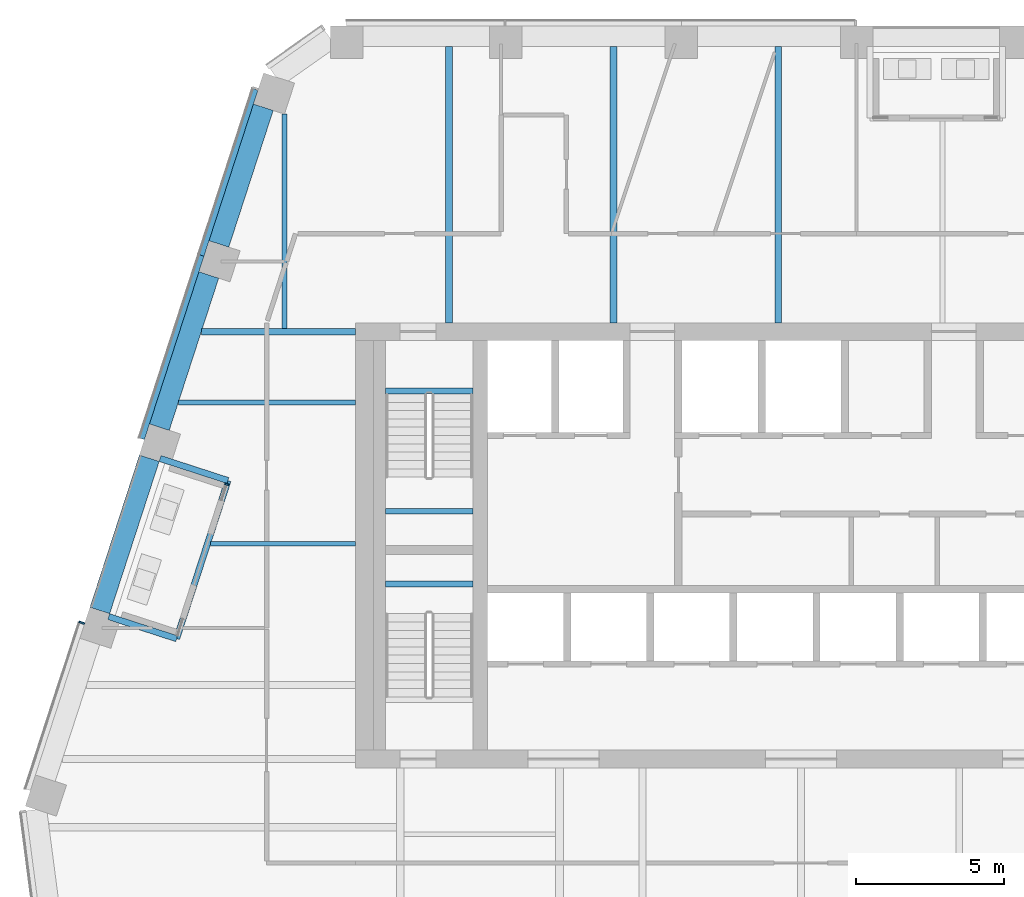
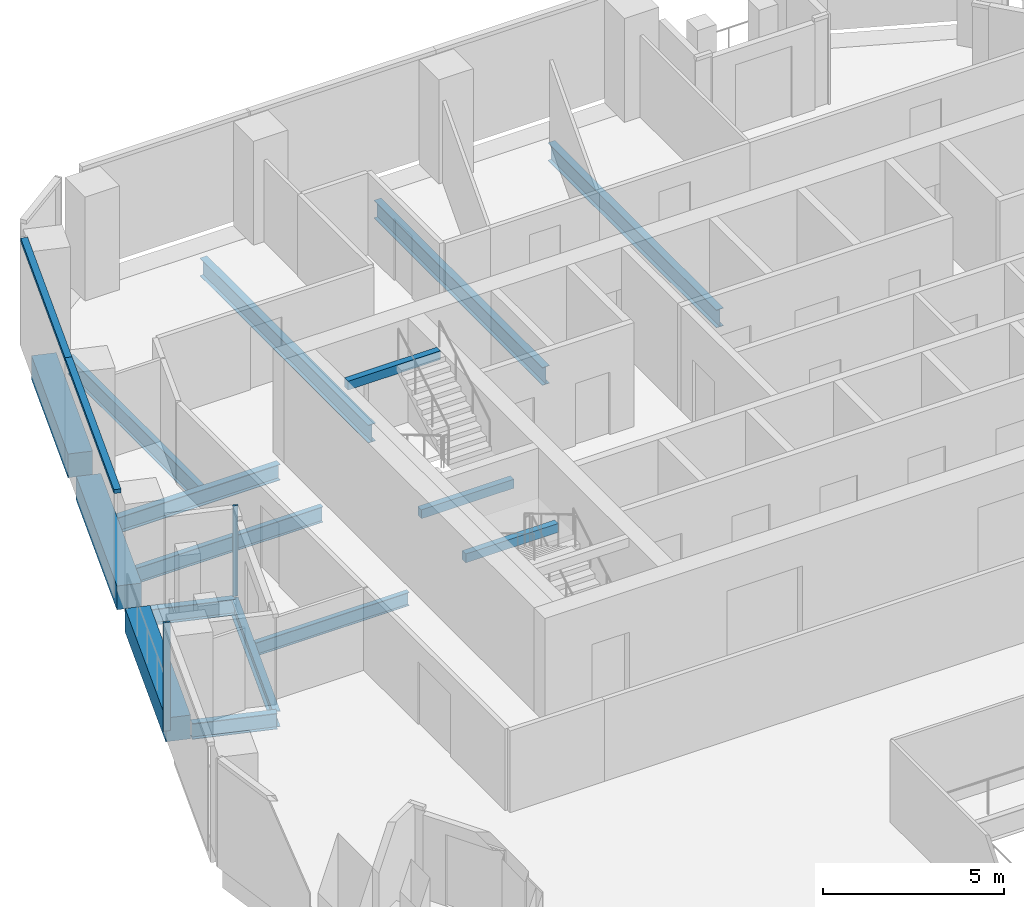
# One storey, part 6 of 24: 16 beams, 4 members, 2 elements without a shape of their own.
"""IFC4 building model written with IfcOpenShell, lengths in metres."""

from ifc_helpers import new_model, si_unit, direction, frame, origin, origin_2d, place, context, subcontext, project, spatial, rectangle, i_section, extrude, material, layer, layer_set, material_profile, profile_set, type_object, element, aggregate, save


model = new_model("IFC4")

# Units and contexts
model_context = context("Model", 3, precision=1e-05, world=origin(), true_north=direction((0.0, 1.0)))
body_context = subcontext(model_context, "Body", "Model", "MODEL_VIEW")
ifc_project = project(units=[si_unit("LENGTHUNIT", "METRE"), si_unit("AREAUNIT", "SQUARE_METRE"), si_unit("VOLUMEUNIT", "CUBIC_METRE"), si_unit("PLANEANGLEUNIT", "RADIAN"), si_unit("MASSUNIT", "GRAM", prefix="KILO")], contexts=[model_context])

# Site, building, storey
site_placement = place(None, origin())
site = spatial("IfcSite", under=ifc_project, at=site_placement, CompositionType="ELEMENT")
building_placement = place(site_placement, origin())
building = spatial("IfcBuilding", under=site, at=building_placement, Name="Isthmus Gate Tower", CompositionType="ELEMENT")
storey_placement = place(building_placement, frame((0.0, 0.0, 219.949951171875)))
storey = spatial("IfcBuildingStorey", under=building, at=storey_placement, Name="L55", CompositionType="ELEMENT", Elevation=219.949951171875)

# Curtain wall, members
ifc_material_1 = material(Name="Aluminium, pale champagne anodised", Category="aluminium")
ifc_layer_1 = layer(ifc_material_1, 0.199951171875)
ifc_layer_set_1 = layer_set([ifc_layer_1], Name="CW-1 UNITISED CURTAIN WALL 200 DEEP")
curtain_wall_type_1 = type_object("IfcCurtainWallType", Name="CW-1 UNITISED CURTAIN WALL 200 DEEP", PredefinedType="NOTDEFINED", material=ifc_layer_set_1)
curtain_wall_1_placement = place(storey_placement, origin())
curtain_wall_1 = element("IfcCurtainWall", 1, at=curtain_wall_1_placement, inside=storey, type_object=curtain_wall_type_1, Name="CW-1 NW L55", PredefinedType="NOTDEFINED")
ifc_material_2 = material(Name="Aluminium, pale champagne anodised", Category="aluminium")
ifc_material_profile_1 = material_profile(ifc_material_2, rectangle(XDim=0.06005859375, YDim=0.199951171875, at=origin_2d()), Name="60x200")
ifc_profile_set_1 = profile_set([ifc_material_profile_1], Name="Aluminium, pale champagne anodised")
member_type_1 = type_object("IfcMemberType", Name="CW-1 MULLION 60 X 200", PredefinedType="MULLION", material=ifc_profile_set_1)
member_1_placement = place(storey_placement, frame((-24.226806640625, 4.894775390625, 0.0), z_axis=(0.0, 0.0, 1.0), x_axis=(-0.309016994375, -0.951056516295, 0.0)))
member_1 = element("IfcMember", 2, at=member_1_placement, type_object=member_type_1, Name="CW-1 mullion", PredefinedType="MULLION", context=body_context, shape_type="SweptSolid", body=[
    extrude(rectangle(XDim=0.06005859375, YDim=0.199951171875, at=origin_2d()), origin(), (0.0, 0.0, 1.0), 3.650146484375),
])
ifc_material_3 = material(Name="Aluminium, pale champagne anodised", Category="aluminium")
ifc_material_profile_2 = material_profile(ifc_material_3, rectangle(XDim=0.199951171875, YDim=0.1298828125, at=origin_2d()), Name="200x130")
ifc_profile_set_2 = profile_set([ifc_material_profile_2], Name="Aluminium, pale champagne anodised")
member_type_2 = type_object("IfcMemberType", Name="CW-1 TRANSOM 200 X 130", PredefinedType="USERDEFINED", material=ifc_profile_set_2)
member_2_placement = place(storey_placement, frame((-18.3876953125, 22.86572265625, 3.5849609375), z_axis=(-0.309021311898, -0.951055113436, 0.0), x_axis=(0.951055113436, -0.309021311898, 0.0)))
member_2 = element("IfcMember", 3, at=member_2_placement, type_object=member_type_2, Name="CW-1 transom", ObjectType="TRANSOM", PredefinedType="USERDEFINED", context=body_context, shape_type="SweptSolid", body=[
    extrude(rectangle(XDim=0.199951171875, YDim=0.1298828125, at=origin_2d()), origin(), (0.0, 0.0, 1.0), 5.8818359375),
])
member_3_placement = place(storey_placement, frame((-20.205322265625, 17.271728515625, 3.5849609375), z_axis=(-0.309020593362, -0.951055346906, 0.0), x_axis=(0.951055346906, -0.309020593362, 0.0)))
member_3 = element("IfcMember", 4, at=member_3_placement, type_object=member_type_2, Name="CW-1 transom", ObjectType="TRANSOM", PredefinedType="USERDEFINED", context=body_context, shape_type="SweptSolid", body=[
    extrude(rectangle(XDim=0.199951171875, YDim=0.1298828125, at=origin_2d()), origin(), (0.0, 0.0, 1.0), 6.49169921875),
])
aggregate(curtain_wall_1, [member_2, member_3, member_1])

# Curtain wall, member
ifc_material_4 = material(Name="Aluminium, pale champagne anodised", Category="aluminium")
ifc_layer_2 = layer(ifc_material_4, 0.14990234375)
ifc_layer_set_2 = layer_set([ifc_layer_2], Name="CW-6 LOGGIA BACK WALL GLAZING 150 DEEP")
curtain_wall_type_2 = type_object("IfcCurtainWallType", Name="CW-6 LOGGIA BACK WALL GLAZING 150 DEEP", PredefinedType="NOTDEFINED", material=ifc_layer_set_2)
curtain_wall_2_placement = place(storey_placement, origin())
curtain_wall_2 = element("IfcCurtainWall", 5, at=curtain_wall_2_placement, inside=storey, type_object=curtain_wall_type_2, Name="CW-6 NW L55", PredefinedType="NOTDEFINED")
ifc_material_5 = material(Name="Aluminium, pale champagne anodised", Category="aluminium")
ifc_material_profile_3 = material_profile(ifc_material_5, rectangle(XDim=0.06005859375, YDim=0.14990234375, at=origin_2d()), Name="60x150")
ifc_profile_set_3 = profile_set([ifc_material_profile_3], Name="Aluminium, pale champagne anodised")
member_type_3 = type_object("IfcMemberType", Name="CW-6 MULLION 60 X 150", PredefinedType="MULLION", material=ifc_profile_set_3)
member_4_placement = place(storey_placement, frame((-19.347412109375, 9.55712890625, 0.0), z_axis=(0.0, 0.0, 1.0), x_axis=(-0.309016994375, -0.951056516295, 0.0)))
member_4 = element("IfcMember", 6, at=member_4_placement, type_object=member_type_3, Name="CW-6 mullion", PredefinedType="MULLION", context=body_context, shape_type="SweptSolid", body=[
    extrude(rectangle(XDim=0.06005859375, YDim=0.14990234375, at=origin_2d()), origin(), (0.0, 0.0, 1.0), 3.050048828125),
])
aggregate(curtain_wall_2, [member_4])

# Beams
ifc_material_6 = material(Name="Concrete f'c 50 MPa", Category="concrete")
ifc_material_profile_4 = material_profile(ifc_material_6, rectangle(XDim=0.699951171875, YDim=0.800048828125, at=origin_2d()), Name="RC 700X800")
ifc_profile_set_4 = profile_set([ifc_material_profile_4], Name="Concrete f'c 50 MPa")
beam_type_1 = type_object("IfcBeamType", Name="RC SPANDREL 700 X 800", PredefinedType="SPANDREL", material=ifc_profile_set_4)
for number, where, z_axis, x_axis, name in (
    (7, (-23.61962890625, 5.307373046875, -0.39990234375), (0.309032831924, 0.951051370218, 0.0), (-0.951051370218, 0.309032831924, 0.0), "str-spandrel-L55-22"),
    (8, (-21.613525390625, 11.481689453125, -0.39990234375), (0.309032831924, 0.951051370218, 0.0), (-0.951051370218, 0.309032831924, 0.0), "str-spandrel-L55-23"),
):
    element("IfcBeam", number, at=place(storey_placement, frame(where, z_axis=z_axis, x_axis=x_axis)), inside=storey, type_object=beam_type_1, Name=name, PredefinedType="SPANDREL", context=body_context, shape_type="SweptSolid", body=[
        extrude(rectangle(XDim=0.699951171875, YDim=0.800048828125, at=origin_2d()), origin(), (0.0, 0.0, 1.0), 5.391845703125),
    ])
beam_1_placement = place(storey_placement, frame((-19.607421875, 17.65576171875, -0.39990234375), z_axis=(0.309033626624, 0.951051111989, 0.0), x_axis=(-0.951051111989, 0.309033626624, 0.0)))
element("IfcBeam", 9, at=beam_1_placement, inside=storey, type_object=beam_type_1, Name="str-spandrel-L55-24", PredefinedType="SPANDREL", context=body_context, shape_type="SweptSolid", body=[
    extrude(rectangle(XDim=0.699951171875, YDim=0.800048828125, at=origin_2d()), origin(), (0.0, 0.0, 1.0), 4.842041015625),
])
ifc_material_7 = material(Name="Concrete f'c 40 MPa", Category="concrete")
ifc_material_profile_5 = material_profile(ifc_material_7, rectangle(XDim=0.199951171875, YDim=0.300048828125, at=origin_2d()), Name="STAIR LANDING BEAM RC 200 X 300")
ifc_profile_set_5 = profile_set([ifc_material_profile_5], Name="Concrete f'c 40 MPa")
beam_type_2 = type_object("IfcBeamType", Name="STAIR LANDING BEAM RC 200 X 300", PredefinedType="BEAM", material=ifc_profile_set_5)
for number, where, z_axis, x_axis, name in (
    (10, (-14.0, 8.64990234375, 1.47509765625), (1.0, 0.0, 0.0), (0.0, 1.0, 0.0), "L55 ST1 landing beam 1"),
    (11, (-14.0, 12.7001953125, 3.35009765625), (1.0, 0.0, 0.0), (0.0, 1.0, 0.0), "L55 ST1 floor-edge seat beam"),
    (12, (-14.0, 6.199951171875, 1.47509765625), (1.0, 0.0, 0.0), (0.0, 1.0, 0.0), "L55 ST7 landing beam 1"),
):
    element("IfcBeam", number, at=place(storey_placement, frame(where, z_axis=z_axis, x_axis=x_axis)), inside=storey, type_object=beam_type_2, Name=name, PredefinedType="BEAM", context=body_context, shape_type="SweptSolid", body=[
        extrude(rectangle(XDim=0.199951171875, YDim=0.300048828125, at=origin_2d()), origin(), (0.0, 0.0, 1.0), 2.949951171875),
    ])
ifc_material_8 = material(Name="Structural steel ASTM A992 Gr 50", Category="steel")
ifc_material_profile_6 = material_profile(ifc_material_8, i_section(OverallWidth=0.15234375, OverallDepth=0.45068359375, WebThickness=0.0078125, FlangeThickness=0.010986328125, at=origin_2d()), Name="W18X35")
ifc_profile_set_6 = profile_set([ifc_material_profile_6], Name="Structural steel ASTM A992 Gr 50")
beam_type_3 = type_object("IfcBeamType", Name="STEEL FLOOR BEAM W18X35", PredefinedType="JOIST", material=ifc_profile_set_6)
beam_2_placement = place(storey_placement, frame((-19.882080078125, 7.55712890625, -0.375244140625), z_axis=(1.0, 0.0, 0.0), x_axis=(0.0, 1.0, 0.0)))
element("IfcBeam", 13, at=beam_2_placement, inside=storey, type_object=beam_type_3, Name="str-beam-L55-02-01", PredefinedType="JOIST", context=body_context, shape_type="SweptSolid", body=[
    extrude(i_section(OverallWidth=0.15234375, OverallDepth=0.45068359375, WebThickness=0.0078125, FlangeThickness=0.010986328125, at=origin_2d()), origin(), (0.0, 0.0, 1.0), 4.882080078125),
])
ifc_material_9 = material(Name="Structural steel ASTM A992 Gr 50", Category="steel")
ifc_material_profile_7 = material_profile(ifc_material_9, i_section(OverallWidth=0.1650390625, OverallDepth=0.52392578125, WebThickness=0.009521484375, FlangeThickness=0.010986328125, at=origin_2d()), Name="W21X44")
ifc_profile_set_7 = profile_set([ifc_material_profile_7], Name="Structural steel ASTM A992 Gr 50")
beam_type_4 = type_object("IfcBeamType", Name="STEEL FLOOR BEAM W21X44", PredefinedType="JOIST", material=ifc_profile_set_7)
beam_3_placement = place(storey_placement, frame((-20.973388671875, 12.319091796875, -0.411865234375), z_axis=(1.0, 0.0, 0.0), x_axis=(0.0, 1.0, 0.0)))
element("IfcBeam", 14, at=beam_3_placement, inside=storey, type_object=beam_type_4, Name="str-beam-L55-02-02", PredefinedType="JOIST", context=body_context, shape_type="SweptSolid", body=[
    extrude(i_section(OverallWidth=0.1650390625, OverallDepth=0.52392578125, WebThickness=0.009521484375, FlangeThickness=0.010986328125, at=origin_2d()), origin(), (0.0, 0.0, 1.0), 5.973388671875),
])
ifc_material_10 = material(Name="Structural steel ASTM A992 Gr 50", Category="steel")
ifc_material_profile_8 = material_profile(ifc_material_10, i_section(OverallWidth=0.177734375, OverallDepth=0.60009765625, WebThickness=0.009521484375, FlangeThickness=0.0126953125, at=origin_2d()), Name="W24X55")
ifc_profile_set_8 = profile_set([ifc_material_profile_8], Name="Structural steel ASTM A992 Gr 50")
beam_type_5 = type_object("IfcBeamType", Name="STEEL FLOOR BEAM W24X55", PredefinedType="JOIST", material=ifc_profile_set_8)
beam_4_placement = place(storey_placement, frame((-17.394287109375, 14.8046875, -0.449951171875), z_axis=(0.0, 1.0, 0.0), x_axis=(-1.0, 0.0, 0.0)))
element("IfcBeam", 15, at=beam_4_placement, inside=storey, type_object=beam_type_5, Name="str-beam-L55-07-00", PredefinedType="JOIST", context=body_context, shape_type="SweptSolid", body=[
    extrude(i_section(OverallWidth=0.177734375, OverallDepth=0.60009765625, WebThickness=0.009521484375, FlangeThickness=0.0126953125, at=origin_2d()), origin(), (0.0, 0.0, 1.0), 7.235107421875),
])
ifc_material_11 = material(Name="Structural steel ASTM A992 Gr 50", Category="steel")
ifc_material_profile_9 = material_profile(ifc_material_11, i_section(OverallWidth=0.228515625, OverallDepth=0.603271484375, WebThickness=0.010986328125, FlangeThickness=0.014404296875, at=origin_2d()), Name="W24X68")
ifc_profile_set_9 = profile_set([ifc_material_profile_9], Name="Structural steel ASTM A992 Gr 50")
beam_type_6 = type_object("IfcBeamType", Name="STEEL FLOOR BEAM W24X68", PredefinedType="JOIST", material=ifc_profile_set_9)
for number, where, z_axis, x_axis, name in (
    (16, (-11.8515625, 15.0, -0.45166015625), (0.0, 1.0, 0.0), (-1.0, 0.0, 0.0), "str-beam-L55-07-01"),
    (17, (-6.308837890625, 15.0, -0.45166015625), (0.0, 1.0, 0.0), (-1.0, 0.0, 0.0), "str-beam-L55-07-02"),
    (18, (-0.76611328125, 15.0, -0.45166015625), (0.0, 1.0, 0.0), (-1.0, 0.0, 0.0), "str-beam-L55-07-03"),
):
    element("IfcBeam", number, at=place(storey_placement, frame(where, z_axis=z_axis, x_axis=x_axis)), inside=storey, type_object=beam_type_6, Name=name, PredefinedType="JOIST", context=body_context, shape_type="SweptSolid", body=[
        extrude(i_section(OverallWidth=0.228515625, OverallDepth=0.603271484375, WebThickness=0.010986328125, FlangeThickness=0.014404296875, at=origin_2d()), origin(), (0.0, 0.0, 1.0), 9.300048828125),
    ])
ifc_material_12 = material(Name="Structural steel ASTM A992 Gr 50", Category="steel")
ifc_material_profile_10 = material_profile(ifc_material_12, i_section(OverallWidth=0.20947265625, OverallDepth=0.533447265625, WebThickness=0.009521484375, FlangeThickness=0.015869140625, at=origin_2d()), Name="W21X62")
ifc_profile_set_10 = profile_set([ifc_material_profile_10], Name="Structural steel ASTM A992 Gr 50")
beam_type_7 = type_object("IfcBeamType", Name="STEEL GIRDER W21X62", PredefinedType="BEAM", material=ifc_profile_set_10)
beam_5_placement = place(storey_placement, frame((-15.0, 14.699951171875, -0.416748046875), z_axis=(-1.0, 0.0, 0.0), x_axis=(0.0, -1.0, 0.0)))
element("IfcBeam", 19, at=beam_5_placement, inside=storey, type_object=beam_type_7, Name="str-girder-L55-11", PredefinedType="BEAM", context=body_context, shape_type="SweptSolid", body=[
    extrude(i_section(OverallWidth=0.20947265625, OverallDepth=0.533447265625, WebThickness=0.009521484375, FlangeThickness=0.015869140625, at=origin_2d()), origin(), (0.0, 0.0, 1.0), 5.19970703125),
])
ifc_material_13 = material(Name="Structural steel ASTM A992 Gr 50", Category="steel")
ifc_material_profile_11 = material_profile(ifc_material_13, i_section(OverallWidth=0.20947265625, OverallDepth=0.533447265625, WebThickness=0.009521484375, FlangeThickness=0.015869140625, at=origin_2d()), Name="W21X62")
ifc_profile_set_11 = profile_set([ifc_material_profile_11], Name="Structural steel ASTM A992 Gr 50")
beam_type_8 = type_object("IfcBeamType", Name="STEEL TRIMMER W21X62", PredefinedType="BEAM", material=ifc_profile_set_11)
beam_6_placement = place(storey_placement, frame((-19.30126953125, 9.683837890625, -0.416748046875), z_axis=(-0.308974705262, -0.951070255821, 0.0), x_axis=(0.951070255821, -0.308974705262, 0.0)))
element("IfcBeam", 20, at=beam_6_placement, inside=storey, type_object=beam_type_8, Name="str-loggiatrim-L55-02-B", PredefinedType="BEAM", context=body_context, shape_type="SweptSolid", body=[
    extrude(i_section(OverallWidth=0.20947265625, OverallDepth=0.533447265625, WebThickness=0.009521484375, FlangeThickness=0.015869140625, at=origin_2d()), origin(), (0.0, 0.0, 1.0), 5.6015625),
])
beam_7_placement = place(storey_placement, frame((-21.588134765625, 10.427001953125, -0.416748046875), z_axis=(0.951042275832, -0.309060818579, 0.0), x_axis=(0.309060818579, 0.951042275832, 0.0)))
element("IfcBeam", 21, at=beam_7_placement, inside=storey, type_object=beam_type_8, Name="str-loggiatrim-L55-02-A", PredefinedType="BEAM", context=body_context, shape_type="SweptSolid", body=[
    extrude(i_section(OverallWidth=0.20947265625, OverallDepth=0.533447265625, WebThickness=0.009521484375, FlangeThickness=0.015869140625, at=origin_2d()), origin(), (0.0, 0.0, 1.0), 2.404541015625),
])
beam_8_placement = place(storey_placement, frame((-23.319091796875, 5.099609375, -0.416748046875), z_axis=(0.951051972539, -0.309030978267, 0.0), x_axis=(0.309030978267, 0.951051972539, 0.0)))
element("IfcBeam", 22, at=beam_8_placement, inside=storey, type_object=beam_type_8, Name="str-loggiatrim-L55-02-C", PredefinedType="BEAM", context=body_context, shape_type="SweptSolid", body=[
    extrude(i_section(OverallWidth=0.20947265625, OverallDepth=0.533447265625, WebThickness=0.009521484375, FlangeThickness=0.015869140625, at=origin_2d()), origin(), (0.0, 0.0, 1.0), 2.40478515625),
])

save(model, "model.ifc")
